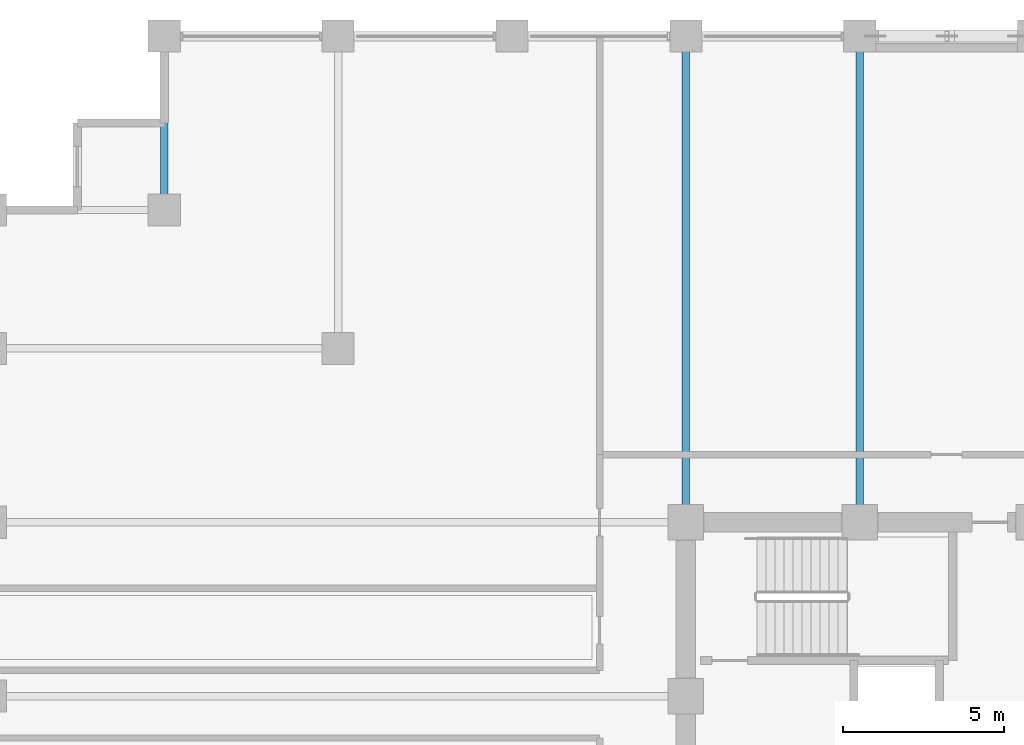
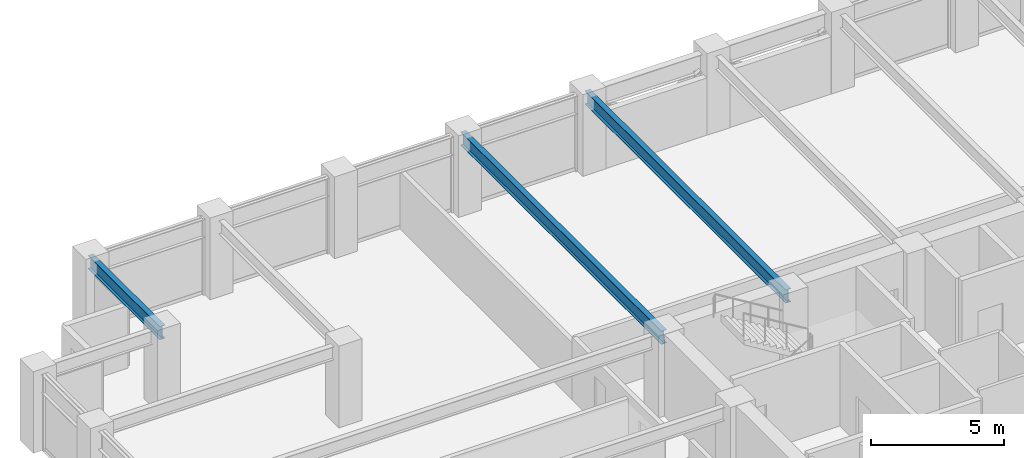
# One storey, part 13 of 29: 3 beams.
"""IFC4 building model written with IfcOpenShell, lengths in metres."""

import ifcopenshell
import ifcopenshell.guid

model = None  # the IFC model being written
_history = None  # IfcOwnerHistory: only IFC2X3 demands one
_inside = {}  # id of a spatial element -> (the spatial element, [elements in it])
_under = {}  # id of a project, library or spatial element -> (it, [spatial elements below it])
_declared = {}  # id of a project -> (the project, [libraries it declares])
_typed = {}  # id of a type object -> (the type object, [elements of that type])
_made_of = {}  # id of a material, layer set ... -> (it, [elements and type objects made of it])


def new_model(schema):
    """Start an empty IFC model of exactly this schema.

    Asked for "IFC4X3", IfcOpenShell would pick the latest addendum, in which some entities
    have other attributes; the version numbers below select the first issue.
    IFC2X3 requires an IfcOwnerHistory on every rooted entity: one is made here for all.
    """
    global model, _history
    if schema == "IFC4X3":
        model = ifcopenshell.file(schema_version=(4, 3, 0, 0))
    else:
        model = ifcopenshell.file(schema=schema)
    _inside.clear()
    _under.clear()
    _declared.clear()
    _typed.clear()
    _made_of.clear()
    _history = None
    if model.schema == "IFC2X3":
        org = make("IfcOrganization", Name="unknown")
        user = make(
            "IfcPersonAndOrganization",
            ThePerson=make("IfcPerson", FamilyName="unknown"),
            TheOrganization=org,
        )
        app = make(
            "IfcApplication",
            ApplicationDeveloper=org,
            Version="unknown",
            ApplicationFullName="unknown",
            ApplicationIdentifier="unknown",
        )
        _history = make(
            "IfcOwnerHistory",
            OwningUser=user,
            OwningApplication=app,
            ChangeAction="ADDED",
            CreationDate=0,
        )
    return model


def make(cls, **values):
    """One entity of the class cls with the attributes given. An attribute that is None is left unset."""
    return model.create_entity(
        cls, **{name: value for name, value in values.items() if value is not None}
    )


def rooted(cls, **values):
    """An entity with a GlobalId (a new one), such as an element, a storey or a relation."""
    return make(cls, GlobalId=ifcopenshell.guid.new(), OwnerHistory=_history, **values)


def si_unit(unit_type, name, prefix=None):
    """IfcSIUnit, for example si_unit("LENGTHUNIT", "METRE", prefix="MILLI")."""
    return make("IfcSIUnit", UnitType=unit_type, Prefix=prefix, Name=name)


def assignment(units):
    """IfcUnitAssignment: the units of a project."""
    return None if units is None else make("IfcUnitAssignment", Units=units)


def point(xyz):
    """IfcCartesianPoint."""
    return None if xyz is None else make("IfcCartesianPoint", Coordinates=xyz)


def direction(xyz):
    """IfcDirection."""
    return None if xyz is None else make("IfcDirection", DirectionRatios=xyz)


def frame(location, z_axis=None, x_axis=None):
    """IfcAxis2Placement3D, a coordinate frame: its origin and axes. An axis left out is left unset."""
    return make(
        "IfcAxis2Placement3D",
        Location=point(location),
        Axis=direction(z_axis),
        RefDirection=direction(x_axis),
    )


def frame_2d(location, x_axis=None):
    """IfcAxis2Placement2D, a coordinate frame in the plane: its origin and x axis."""
    return make(
        "IfcAxis2Placement2D", Location=point(location), RefDirection=direction(x_axis)
    )


def origin():
    """The frame at (0, 0, 0) with its axes left unset."""
    return frame((0.0, 0.0, 0.0))


def origin_2d():
    """The frame at (0, 0) in the plane with its x axis left unset."""
    return frame_2d((0.0, 0.0))


def place(relative_to, where):
    """IfcLocalPlacement: puts the frame where relative to a parent placement (None: the world)."""
    return make(
        "IfcLocalPlacement", PlacementRelTo=relative_to, RelativePlacement=where
    )


def context(
    kind, dimensions, precision=None, world=None, true_north=None, identifier=None
):
    """IfcGeometricRepresentationContext, for example the 3D "Model" context."""
    return make(
        "IfcGeometricRepresentationContext",
        ContextIdentifier=identifier,
        ContextType=kind,
        CoordinateSpaceDimension=dimensions,
        Precision=precision,
        WorldCoordinateSystem=world,
        TrueNorth=true_north,
    )


def subcontext(parent, identifier, kind, view, scale=None):
    """IfcGeometricRepresentationSubContext, for example "Body" below "Model"."""
    return make(
        "IfcGeometricRepresentationSubContext",
        ContextIdentifier=identifier,
        ContextType=kind,
        ParentContext=parent,
        TargetScale=scale,
        TargetView=view,
    )


def project(units=None, contexts=None):
    """IfcProject with its units and contexts."""
    return rooted(
        "IfcProject",
        Name="project",
        RepresentationContexts=contexts,
        UnitsInContext=assignment(units),
    )


def spatial(cls, under=None, at=None, **own):
    """A site, building, storey or space (cls), placed at a placement, below another one or the project."""
    s = rooted(cls, ObjectPlacement=at, **own)
    if under is not None:
        _under.setdefault(under.id(), (under, []))[1].append(s)
    return s


def profile(cls, at=None, kind="AREA", **sizes):
    """A parametric profile (cls). Its sizes go by their IFC names, for example OverallWidth=200.0."""
    return make(cls, ProfileType=kind, Position=at, **sizes)


def i_section(**sizes):
    """IfcIShapeProfileDef."""
    return profile("IfcIShapeProfileDef", **sizes)


def extrude(swept, where, along, depth):
    """IfcExtrudedAreaSolid: the profile swept, set in the frame where, extruded along a direction by depth."""
    return make(
        "IfcExtrudedAreaSolid",
        SweptArea=swept,
        Position=where,
        ExtrudedDirection=direction(along),
        Depth=depth,
    )


def shape(context_of_items, identifier, shape_type, items):
    """IfcShapeRepresentation: the items that make up one representation, for example the "Body"."""
    return make(
        "IfcShapeRepresentation",
        ContextOfItems=context_of_items,
        RepresentationIdentifier=identifier,
        RepresentationType=shape_type,
        Items=items,
    )


def material(Name=None, Category=None):
    """IfcMaterial."""
    return make("IfcMaterial", Name=Name, Category=Category)


def material_profile(
    of_material, cross_section, Name=None, Category=None, Priority=None
):
    """IfcMaterialProfile: a cross section and its material."""
    return make(
        "IfcMaterialProfile",
        Name=Name,
        Material=of_material,
        Profile=cross_section,
        Priority=Priority,
        Category=Category,
    )


def profile_set(profiles, Name=None, composite=None):
    """IfcMaterialProfileSet."""
    return make(
        "IfcMaterialProfileSet",
        Name=Name,
        MaterialProfiles=profiles,
        CompositeProfile=composite,
    )


def made_of(thing, what):
    """Note that an element or type object is made of a material, layer set ...; save() writes the relation."""
    if what is not None:
        _made_of.setdefault(what.id(), (what, []))[1].append(thing)
    return thing


def type_object(cls, material=None, **own):
    """A type object (cls), such as IfcWallType, which elements share."""
    return made_of(rooted(cls, **own), material)


def element(
    cls,
    number,
    at=None,
    inside=None,
    cuts=None,
    type_object=None,
    material=None,
    context=None,
    identifier="Body",
    shape_type=None,
    held_by="IfcProductDefinitionShape",
    body=None,
    shapes=None,
    **own,
):
    """One element of the class cls, such as IfcWall. Its Tag is "e" and its number.

    at: its placement. inside: the storey or other place that contains it. cuts: it is an
    opening in that element (IfcRelVoidsElement). A single representation is given by context,
    identifier, shape_type and body (its items); several are given by shapes. held_by: the class
    of the entity that holds the representations. save() writes the other relations.
    """
    e = rooted(cls, Tag="e%d" % number, ObjectPlacement=at, **own)
    if body is not None:
        shapes = [shape(context, identifier, shape_type, body)]
    if shapes is not None:
        e.Representation = make(held_by, Representations=shapes)
    if inside is not None:
        _inside.setdefault(inside.id(), (inside, []))[1].append(e)
    if cuts is not None:
        rooted(
            "IfcRelVoidsElement", RelatingBuildingElement=cuts, RelatedOpeningElement=e
        )
    if type_object is not None:
        _typed.setdefault(type_object.id(), (type_object, []))[1].append(e)
    return made_of(e, material)


def aggregate(whole, parts):
    """IfcRelAggregates: a whole, such as a stair, and the parts it consists of."""
    return rooted("IfcRelAggregates", RelatingObject=whole, RelatedObjects=parts)


def save(model, path):
    """Write the relations noted so far, then the file.

    IfcRelAggregates (storeys below a building ...), IfcRelContainedInSpatialStructure (elements
    in a storey), IfcRelDefinesByType, IfcRelAssociatesMaterial and IfcRelDeclares: one each for
    every whole, place, type object, material and project.
    """
    for whole, parts in _under.values():
        aggregate(whole, parts)
    for where, things in _inside.values():
        rooted(
            "IfcRelContainedInSpatialStructure",
            RelatedElements=things,
            RelatingStructure=where,
        )
    for kind, things in _typed.values():
        rooted("IfcRelDefinesByType", RelatedObjects=things, RelatingType=kind)
    for what, things in _made_of.values():
        rooted("IfcRelAssociatesMaterial", RelatedObjects=things, RelatingMaterial=what)
    for by, libraries in _declared.values():
        rooted("IfcRelDeclares", RelatingContext=by, RelatedDefinitions=libraries)
    model.write(path)


model = new_model("IFC4")

# Units and contexts
model_context = context("Model", 3, precision=1e-05, world=origin(), true_north=direction((0.0, 1.0)))
body_context = subcontext(model_context, "Body", "Model", "MODEL_VIEW")
ifc_project = project(units=[si_unit("LENGTHUNIT", "METRE"), si_unit("AREAUNIT", "SQUARE_METRE"), si_unit("VOLUMEUNIT", "CUBIC_METRE"), si_unit("PLANEANGLEUNIT", "RADIAN"), si_unit("MASSUNIT", "GRAM", prefix="KILO")], contexts=[model_context])

# Site, building, storey
site_placement = place(None, origin())
site = spatial("IfcSite", under=ifc_project, at=site_placement, CompositionType="ELEMENT")
building_placement = place(site_placement, origin())
building = spatial("IfcBuilding", under=site, at=building_placement, Name="Surkhivell Harbour Commons", CompositionType="ELEMENT")
storey_placement = place(building_placement, frame((0.0, 0.0, 158.25)))
storey = spatial("IfcBuildingStorey", under=building, at=storey_placement, Name="L41", CompositionType="ELEMENT", Elevation=158.25)

# Beams
ifc_material = material(Name="Steel S355", Category="steel")
ifc_material_profile = material_profile(ifc_material, i_section(OverallWidth=0.22998046875, OverallDepth=0.616943359375, WebThickness=0.01318359375, FlangeThickness=0.022216796875, at=origin_2d()), Name="UB610x229x140")
ifc_profile_set = profile_set([ifc_material_profile], Name="Steel S355")
beam_type = type_object("IfcBeamType", Name="BM-GRD-610B", PredefinedType="BEAM", material=ifc_profile_set)
beam_placement = place(storey_placement, frame((-27.0, 20.5, 3.19140625), z_axis=(0.0, 1.0, 0.0), x_axis=(-1.0, 0.0, 0.0)))
element("IfcBeam", 1, at=beam_placement, inside=storey, type_object=beam_type, Name="L41 Floor Girder (-27.0,20.5)", PredefinedType="BEAM", context=body_context, shape_type="SweptSolid", body=[
    extrude(i_section(OverallWidth=0.22998046875, OverallDepth=0.616943359375, WebThickness=0.01318359375, FlangeThickness=0.022216796875, at=origin_2d()), origin(), (0.0, 0.0, 1.0), 5.39990234375),
])
for number, where, z_axis, x_axis, name in (
    (2, (-10.800048828125, 10.800048828125, 3.19140625), (0.0, 1.0, 0.0), (-1.0, 0.0, 0.0), "L41 Floor Girder (-10.8,10.8)"),
    (3, (-5.39990234375, 10.800048828125, 3.19140625), (0.0, 1.0, 0.0), (-1.0, 0.0, 0.0), "L41 Floor Girder (-5.4,10.8)"),
):
    element("IfcBeam", number, at=place(storey_placement, frame(where, z_axis=z_axis, x_axis=x_axis)), inside=storey, type_object=beam_type, Name=name, PredefinedType="BEAM", context=body_context, shape_type="SweptSolid", body=[
        extrude(i_section(OverallWidth=0.22998046875, OverallDepth=0.616943359375, WebThickness=0.01318359375, FlangeThickness=0.022216796875, at=origin_2d()), origin(), (0.0, 0.0, 1.0), 15.099853515625),
    ])

save(model, "model.ifc")
